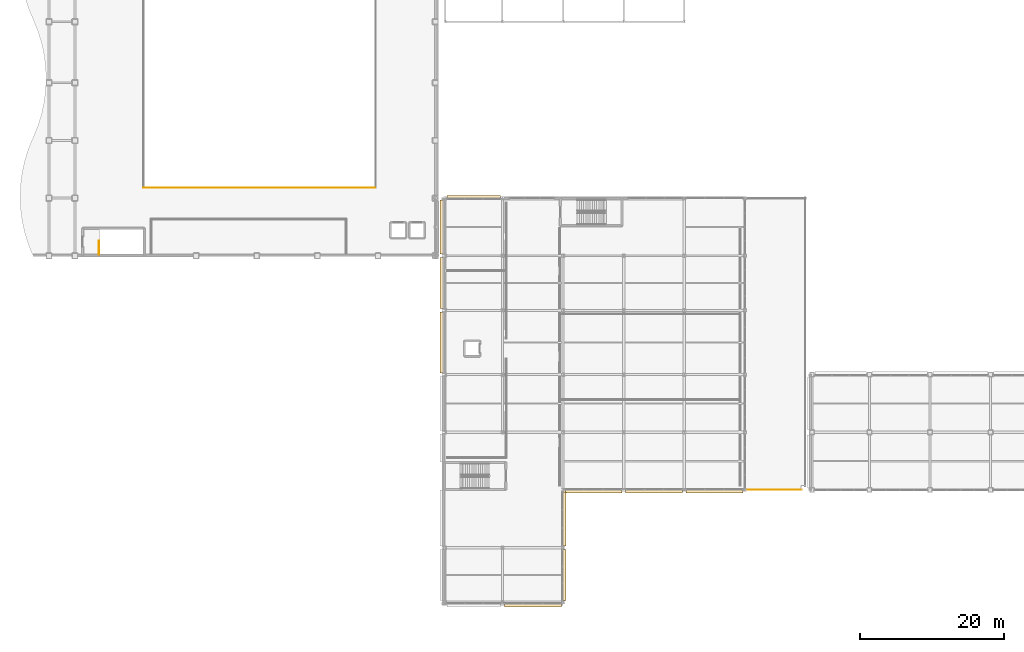
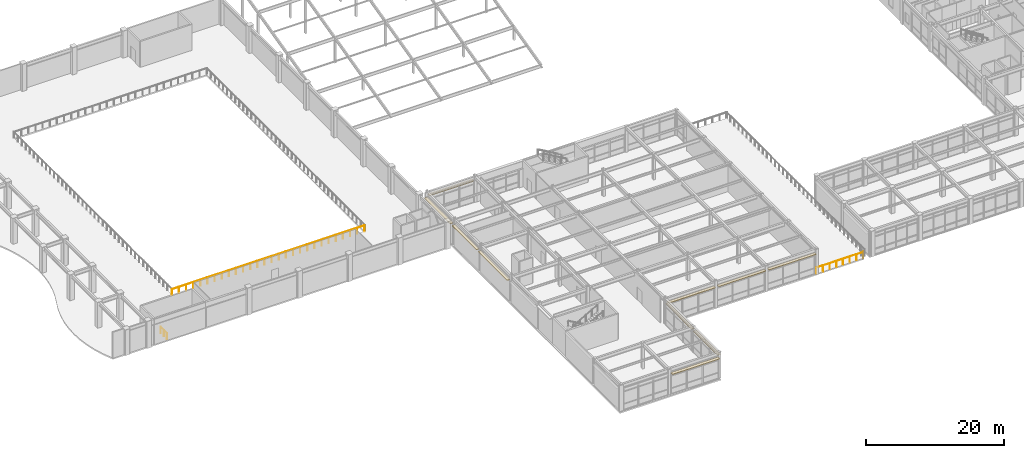
# One storey, part 86 of 93: 10 coverings, 3 railings.
"""IFC4 building model written with IfcOpenShell, lengths in metres."""

from ifc_helpers import new_model, si_unit, direction, frame, origin, origin_2d, place, context, subcontext, project, spatial, rectangle, circle, extrude, material, layer, layer_set, type_object, element, save


model = new_model("IFC4")

# Units and contexts
model_context = context("Model", 3, precision=1e-05, world=origin(), true_north=direction((0.0, 1.0)))
body_context = subcontext(model_context, "Body", "Model", "MODEL_VIEW")
ifc_project = project(units=[si_unit("LENGTHUNIT", "METRE"), si_unit("AREAUNIT", "SQUARE_METRE"), si_unit("VOLUMEUNIT", "CUBIC_METRE"), si_unit("PLANEANGLEUNIT", "RADIAN"), si_unit("MASSUNIT", "GRAM", prefix="KILO")], contexts=[model_context])

# Site, building, storey
site_placement = place(None, origin())
site = spatial("IfcSite", under=ifc_project, at=site_placement, CompositionType="ELEMENT")
building_placement = place(site_placement, origin())
building = spatial("IfcBuilding", under=site, at=building_placement, Name="Kazehara Bluff Congress Hotel", CompositionType="ELEMENT")
storey_placement = place(building_placement, frame((0.0, 0.0, 15.0)))
storey = spatial("IfcBuildingStorey", under=building, at=storey_placement, Name="L03", CompositionType="ELEMENT", Elevation=15.0)

# Coverings
ifc_material_1 = material(Name="Anodised aluminium architectural brise-soleil", Category="aluminium")
ifc_layer = layer(ifc_material_1, 0.10009765625)
ifc_layer_set = layer_set([ifc_layer], Name="Anodised aluminium architectural brise-soleil")
covering_type = type_object("IfcCoveringType", Name="TP-FAC-FIN", PredefinedType="CLADDING", material=ifc_layer_set)
covering_1_placement = place(storey_placement, frame((71.85009765625, 0.030029296875, 3.71484375), z_axis=(0.0, 0.0, 1.0), x_axis=(1.0, 0.0, 0.0)))
element("IfcCovering", 1, at=covering_1_placement, inside=storey, type_object=covering_type, Name="L03 V4 architectural sun-hood 137", PredefinedType="CLADDING", context=body_context, shape_type="SweptSolid", body=[
    extrude(rectangle(XDim=7.89990234375, YDim=0.52001953125, at=origin_2d()), origin(), (0.0, 0.0, 1.0), 0.10009765625),
])
covering_2_placement = place(storey_placement, frame((76.18994140625, 4.22509765625, 3.71484375), z_axis=(0.0, 0.0, 1.0), x_axis=(1.0, 0.0, 0.0)))
element("IfcCovering", 2, at=covering_2_placement, inside=storey, type_object=covering_type, Name="L03 V4 architectural sun-hood 138", PredefinedType="CLADDING", context=body_context, shape_type="SweptSolid", body=[
    extrude(rectangle(XDim=0.52001953125, YDim=7.050048828125, at=origin_2d()), origin(), (0.0, 0.0, 1.0), 0.10009765625),
])
covering_3_placement = place(storey_placement, frame((76.18994140625, 12.0, 3.71484375), z_axis=(0.0, 0.0, 1.0), x_axis=(1.0, 0.0, 0.0)))
element("IfcCovering", 3, at=covering_3_placement, inside=storey, type_object=covering_type, Name="L03 V4 architectural sun-hood 139", PredefinedType="CLADDING", context=body_context, shape_type="SweptSolid", body=[
    extrude(rectangle(XDim=0.52001953125, YDim=7.5, at=origin_2d()), origin(), (0.0, 0.0, 1.0), 0.10009765625),
])
for number, where, z_axis, x_axis, name in (
    (4, (80.25, 15.860107421875, 3.71484375), (0.0, 0.0, 1.0), (1.0, 0.0, 0.0), "L03 V4 architectural sun-hood 140"),
    (5, (88.64990234375, 15.860107421875, 3.71484375), (0.0, 0.0, 1.0), (1.0, 0.0, 0.0), "L03 V4 architectural sun-hood 141"),
    (6, (97.050048828125, 15.860107421875, 3.71484375), (0.0, 0.0, 1.0), (1.0, 0.0, 0.0), "L03 V4 architectural sun-hood 142"),
):
    element("IfcCovering", number, at=place(storey_placement, frame(where, z_axis=z_axis, x_axis=x_axis)), inside=storey, type_object=covering_type, Name=name, PredefinedType="CLADDING", context=body_context, shape_type="SweptSolid", body=[
        extrude(rectangle(XDim=7.89990234375, YDim=0.52001953125, at=origin_2d()), origin(), (0.0, 0.0, 1.0), 0.10009765625),
    ])
covering_4_placement = place(storey_placement, frame((63.675048828125, 56.590087890625, 3.71484375), z_axis=(0.0, 0.0, 1.0), x_axis=(1.0, 0.0, 0.0)))
element("IfcCovering", 7, at=covering_4_placement, inside=storey, type_object=covering_type, Name="L03 V4 architectural sun-hood 143", PredefinedType="CLADDING", context=body_context, shape_type="SweptSolid", body=[
    extrude(rectangle(XDim=7.449951171875, YDim=0.52001953125, at=origin_2d()), origin(), (0.0, 0.0, 1.0), 0.10009765625),
])
covering_5_placement = place(storey_placement, frame((59.280029296875, 36.449951171875, 3.71484375), z_axis=(0.0, 0.0, 1.0), x_axis=(1.0, 0.0, 0.0)))
element("IfcCovering", 8, at=covering_5_placement, inside=storey, type_object=covering_type, Name="L03 V4 architectural sun-hood 148", PredefinedType="CLADDING", context=body_context, shape_type="SweptSolid", body=[
    extrude(rectangle(XDim=0.52001953125, YDim=8.39990234375, at=origin_2d()), origin(), (0.0, 0.0, 1.0), 0.10009765625),
])
covering_6_placement = place(storey_placement, frame((59.280029296875, 44.675048828125, 3.71484375), z_axis=(0.0, 0.0, 1.0), x_axis=(1.0, 0.0, 0.0)))
element("IfcCovering", 9, at=covering_6_placement, inside=storey, type_object=covering_type, Name="L03 V4 architectural sun-hood 149", PredefinedType="CLADDING", context=body_context, shape_type="SweptSolid", body=[
    extrude(rectangle(XDim=0.52001953125, YDim=7.050048828125, at=origin_2d()), origin(), (0.0, 0.0, 1.0), 0.10009765625),
])
covering_7_placement = place(storey_placement, frame((59.280029296875, 52.43505859375, 3.71484375), z_axis=(0.0, 0.0, 1.0), x_axis=(1.0, 0.0, 0.0)))
element("IfcCovering", 10, at=covering_7_placement, inside=storey, type_object=covering_type, Name="L03 V4 architectural sun-hood 150", PredefinedType="CLADDING", context=body_context, shape_type="SweptSolid", body=[
    extrude(rectangle(XDim=0.52001953125, YDim=7.469970703125, at=origin_2d()), origin(), (0.0, 0.0, 1.0), 0.10009765625),
])

# Railings
ifc_material_2 = material(Name="Painted galvanised steel", Category="steel")
railing_type_1 = type_object("IfcRailingType", Name="TP-GRD-EXT", PredefinedType="BALUSTRADE", material=ifc_material_2)
railing_1_placement = place(storey_placement, frame((101.25, 16.050048828125, 0.0)))
element("IfcRailing", 11, at=railing_1_placement, inside=storey, type_object=railing_type_1, Name="Concourse Court Terrace edge guard 1", PredefinedType="BALUSTRADE", context=body_context, shape_type="SweptSolid", body=[
    extrude(circle(Radius=0.02392578125, at=origin_2d()), frame((0.0, 0.0, 1.076171875), z_axis=(1.0, 0.0, 0.0), x_axis=(0.0, 1.0, 0.0)), (0.0, 0.0, 1.0), 7.85009765625),
    extrude(circle(Radius=0.02099609375, at=origin_2d()), origin(), (0.0, 0.0, 1.0), 1.052001953125),
    extrude(circle(Radius=0.02099609375, at=origin_2d()), frame((1.121337890625, 0.0, 0.0)), (0.0, 0.0, 1.0), 1.052001953125),
    extrude(circle(Radius=0.02099609375, at=origin_2d()), frame((2.242919921875, 0.0, 0.0)), (0.0, 0.0, 1.0), 1.052001953125),
    extrude(circle(Radius=0.02099609375, at=origin_2d()), frame((3.3642578125, 0.0, 0.0)), (0.0, 0.0, 1.0), 1.052001953125),
    extrude(circle(Radius=0.02099609375, at=origin_2d()), frame((4.48583984375, 0.0, 0.0)), (0.0, 0.0, 1.0), 1.052001953125),
    extrude(circle(Radius=0.02099609375, at=origin_2d()), frame((5.607177734375, 0.0, 0.0)), (0.0, 0.0, 1.0), 1.052001953125),
    extrude(circle(Radius=0.02099609375, at=origin_2d()), frame((6.728759765625, 0.0, 0.0)), (0.0, 0.0, 1.0), 1.052001953125),
    extrude(circle(Radius=0.02099609375, at=origin_2d()), frame((7.85009765625, 0.0, 0.0)), (0.0, 0.0, 1.0), 1.052001953125),
])
ifc_material_3 = material(Name="Brushed stainless steel", Category="steel")
railing_type_2 = type_object("IfcRailingType", Name="TP-GRD-INT", PredefinedType="GUARDRAIL", material=ifc_material_3)
railing_2_placement = place(storey_placement, frame((11.75, 48.64990234375, 0.0)))
element("IfcRailing", 12, at=railing_2_placement, inside=storey, type_object=railing_type_2, Name="L03 ST-03 top well guard 1", PredefinedType="GUARDRAIL", context=body_context, shape_type="SweptSolid", body=[
    extrude(circle(Radius=0.02392578125, at=origin_2d()), frame((0.0, 0.0, 1.076171875), z_axis=(0.0, 1.0, 0.0), x_axis=(-1.0, 0.0, 0.0)), (0.0, 0.0, 1.0), 1.85009765625),
    extrude(circle(Radius=0.02099609375, at=origin_2d()), origin(), (0.0, 0.0, 1.0), 1.052001953125),
    extrude(circle(Radius=0.02099609375, at=origin_2d()), frame((0.0, 0.925048828125, 0.0)), (0.0, 0.0, 1.0), 1.052001953125),
    extrude(circle(Radius=0.02099609375, at=origin_2d()), frame((0.0, 1.85009765625, 0.0)), (0.0, 0.0, 1.0), 1.052001953125),
])
railing_3_placement = place(storey_placement, frame((17.89990234375, 57.89990234375, 0.0)))
element("IfcRailing", 13, at=railing_3_placement, inside=storey, type_object=railing_type_2, Name="L03 V1-VOID void guardrail S", PredefinedType="GUARDRAIL", context=body_context, shape_type="SweptSolid", body=[
    extrude(circle(Radius=0.02392578125, at=origin_2d()), frame((0.0, 0.0, 1.076171875), z_axis=(1.0, 0.0, 0.0), x_axis=(0.0, 1.0, 0.0)), (0.0, 0.0, 1.0), 32.1201171875),
    extrude(circle(Radius=0.02099609375, at=origin_2d()), origin(), (0.0, 0.0, 1.0), 1.052001953125),
    extrude(circle(Radius=0.02099609375, at=origin_2d()), frame((1.189697265625, 0.0, 0.0)), (0.0, 0.0, 1.0), 1.052001953125),
    extrude(circle(Radius=0.02099609375, at=origin_2d()), frame((2.379150390625, 0.0, 0.0)), (0.0, 0.0, 1.0), 1.052001953125),
    extrude(circle(Radius=0.02099609375, at=origin_2d()), frame((3.56884765625, 0.0, 0.0)), (0.0, 0.0, 1.0), 1.052001953125),
    extrude(circle(Radius=0.02099609375, at=origin_2d()), frame((4.758544921875, 0.0, 0.0)), (0.0, 0.0, 1.0), 1.052001953125),
    extrude(circle(Radius=0.02099609375, at=origin_2d()), frame((5.9482421875, 0.0, 0.0)), (0.0, 0.0, 1.0), 1.052001953125),
    extrude(circle(Radius=0.02099609375, at=origin_2d()), frame((7.1376953125, 0.0, 0.0)), (0.0, 0.0, 1.0), 1.052001953125),
    extrude(circle(Radius=0.02099609375, at=origin_2d()), frame((8.327392578125, 0.0, 0.0)), (0.0, 0.0, 1.0), 1.052001953125),
    extrude(circle(Radius=0.02099609375, at=origin_2d()), frame((9.51708984375, 0.0, 0.0)), (0.0, 0.0, 1.0), 1.052001953125),
    extrude(circle(Radius=0.02099609375, at=origin_2d()), frame((10.706787109375, 0.0, 0.0)), (0.0, 0.0, 1.0), 1.052001953125),
    extrude(circle(Radius=0.02099609375, at=origin_2d()), frame((11.896240234375, 0.0, 0.0)), (0.0, 0.0, 1.0), 1.052001953125),
    extrude(circle(Radius=0.02099609375, at=origin_2d()), frame((13.0859375, 0.0, 0.0)), (0.0, 0.0, 1.0), 1.052001953125),
    extrude(circle(Radius=0.02099609375, at=origin_2d()), frame((14.275634765625, 0.0, 0.0)), (0.0, 0.0, 1.0), 1.052001953125),
    extrude(circle(Radius=0.02099609375, at=origin_2d()), frame((15.46533203125, 0.0, 0.0)), (0.0, 0.0, 1.0), 1.052001953125),
    extrude(circle(Radius=0.02099609375, at=origin_2d()), frame((16.65478515625, 0.0, 0.0)), (0.0, 0.0, 1.0), 1.052001953125),
    extrude(circle(Radius=0.02099609375, at=origin_2d()), frame((17.844482421875, 0.0, 0.0)), (0.0, 0.0, 1.0), 1.052001953125),
    extrude(circle(Radius=0.02099609375, at=origin_2d()), frame((19.0341796875, 0.0, 0.0)), (0.0, 0.0, 1.0), 1.052001953125),
    extrude(circle(Radius=0.02099609375, at=origin_2d()), frame((20.223876953125, 0.0, 0.0)), (0.0, 0.0, 1.0), 1.052001953125),
    extrude(circle(Radius=0.02099609375, at=origin_2d()), frame((21.413330078125, 0.0, 0.0)), (0.0, 0.0, 1.0), 1.052001953125),
    extrude(circle(Radius=0.02099609375, at=origin_2d()), frame((22.60302734375, 0.0, 0.0)), (0.0, 0.0, 1.0), 1.052001953125),
    extrude(circle(Radius=0.02099609375, at=origin_2d()), frame((23.792724609375, 0.0, 0.0)), (0.0, 0.0, 1.0), 1.052001953125),
    extrude(circle(Radius=0.02099609375, at=origin_2d()), frame((24.982421875, 0.0, 0.0)), (0.0, 0.0, 1.0), 1.052001953125),
    extrude(circle(Radius=0.02099609375, at=origin_2d()), frame((26.171875, 0.0, 0.0)), (0.0, 0.0, 1.0), 1.052001953125),
    extrude(circle(Radius=0.02099609375, at=origin_2d()), frame((27.361572265625, 0.0, 0.0)), (0.0, 0.0, 1.0), 1.052001953125),
    extrude(circle(Radius=0.02099609375, at=origin_2d()), frame((28.55126953125, 0.0, 0.0)), (0.0, 0.0, 1.0), 1.052001953125),
    extrude(circle(Radius=0.02099609375, at=origin_2d()), frame((29.740966796875, 0.0, 0.0)), (0.0, 0.0, 1.0), 1.052001953125),
    extrude(circle(Radius=0.02099609375, at=origin_2d()), frame((30.930419921875, 0.0, 0.0)), (0.0, 0.0, 1.0), 1.052001953125),
    extrude(circle(Radius=0.02099609375, at=origin_2d()), frame((32.1201171875, 0.0, 0.0)), (0.0, 0.0, 1.0), 1.052001953125),
])

save(model, "model.ifc")
